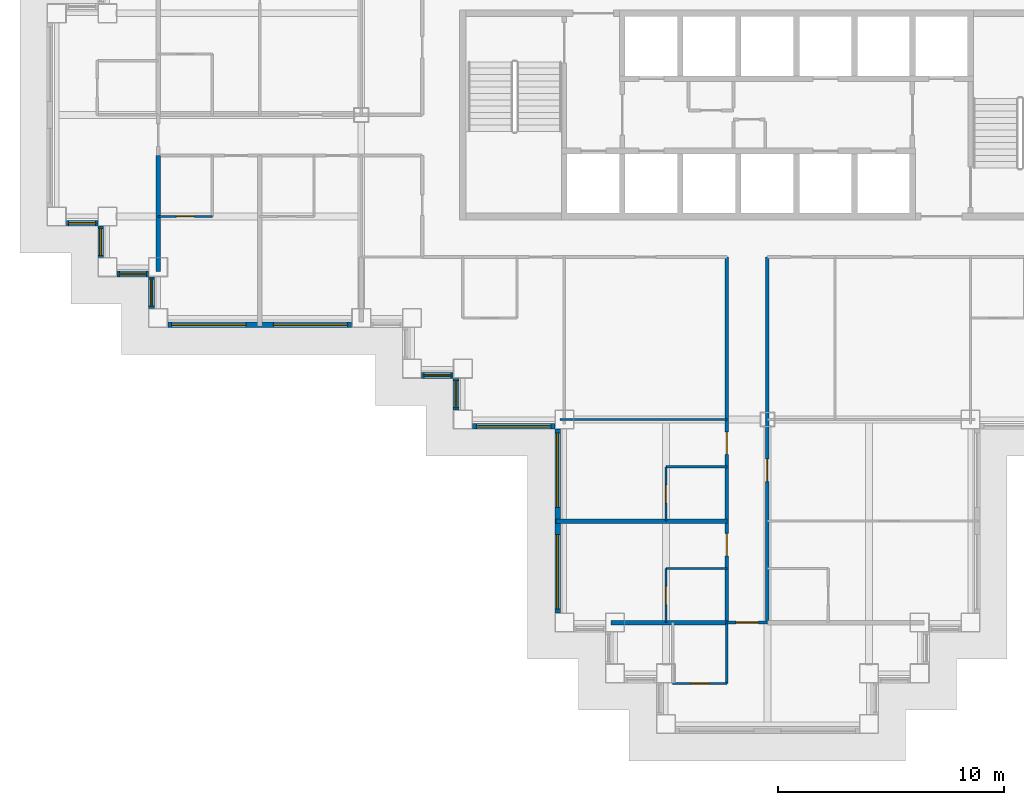
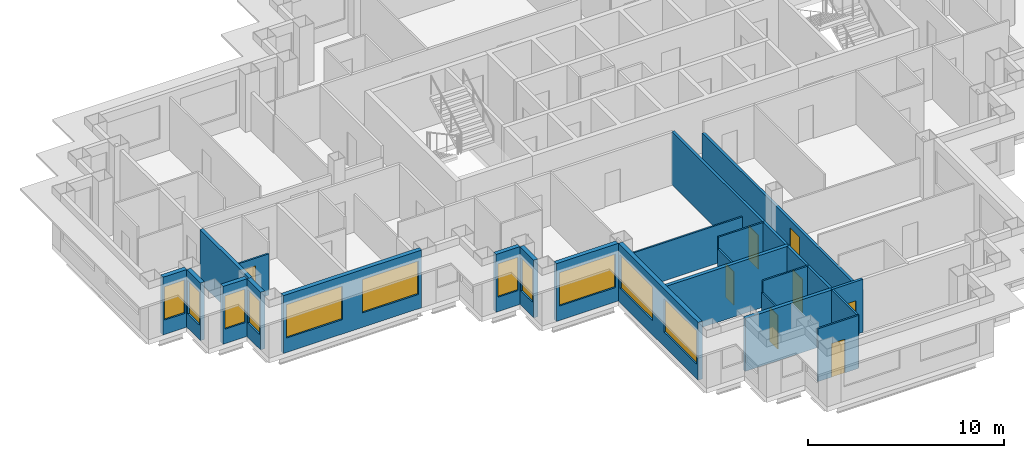
# One storey, part 4 of 16: 23 walls, 11 windows, 8 doors, 19 openings.
"""IFC4 building model written with IfcOpenShell, lengths in metres."""

from ifc_helpers import new_model, si_unit, direction, frame, frame_2d, origin, place, context, subcontext, project, spatial, rectangle, extrude, material, layer, layer_set, type_object, element, fill, save


model = new_model("IFC4")

# Units and contexts
model_context = context("Model", 3, precision=1e-05, world=origin(), true_north=direction((0.0, 1.0)))
body_context = subcontext(model_context, "Body", "Model", "MODEL_VIEW")
ifc_project = project(units=[si_unit("LENGTHUNIT", "METRE"), si_unit("AREAUNIT", "SQUARE_METRE"), si_unit("VOLUMEUNIT", "CUBIC_METRE"), si_unit("PLANEANGLEUNIT", "RADIAN"), si_unit("MASSUNIT", "GRAM", prefix="KILO")], contexts=[model_context])

# Site, building, storey
site_placement = place(None, origin())
site = spatial("IfcSite", under=ifc_project, at=site_placement, CompositionType="ELEMENT")
building_placement = place(site_placement, origin())
building = spatial("IfcBuilding", under=site, at=building_placement, Name="Caravel Reach Hotel and Residences", CompositionType="ELEMENT")
storey_placement = place(building_placement, frame((0.0, 0.0, 133.199951171875)))
storey = spatial("IfcBuildingStorey", under=building, at=storey_placement, Name="L33", CompositionType="ELEMENT", Elevation=133.199951171875)

# Wall, opening, door
ifc_material_1 = material(Name="Gypsum board on steel stud", Category="steel")
ifc_layer_1 = layer(ifc_material_1, 0.10009765625)
ifc_layer_set_1 = layer_set([ifc_layer_1], Name="Bathroom pod wall 100 mm")
wall_type_1 = type_object("IfcWallType", Name="Bathroom pod wall 100 mm", PredefinedType="PARTITIONING", material=ifc_layer_set_1)
wall_1_placement = place(storey_placement, frame((27.300048828125, 1.800048828125, 0.0), z_axis=(0.0, 0.0, 1.0), x_axis=(1.0, 0.0, 0.0)))
wall_1 = element("IfcWall", 1, at=wall_1_placement, inside=storey, type_object=wall_type_1, Name="L33 wall w081", PredefinedType="PARTITIONING", context=body_context, shape_type="SweptSolid", body=[
    extrude(rectangle(XDim=2.39990234375, YDim=0.10009765625, at=frame_2d((1.199951171875, 0.0))), origin(), (0.0, 0.0, 1.0), 3.300048828125),
])
opening_1_placement = place(wall_1_placement, frame((0.800048828125, 0.0, 0.0)))
opening_1 = element("IfcOpeningElement", 2, at=opening_1_placement, cuts=wall_1, Name="Opening D33-047", PredefinedType="OPENING", context=body_context, shape_type="SweptSolid", body=[
    extrude(rectangle(XDim=0.800048828125, YDim=2.10009765625, at=frame_2d((0.39990234375, 1.050048828125))), frame((0.0, 0.06005859375, 0.0), z_axis=(0.0, -1.0, 0.0), x_axis=(1.0, 0.0, 0.0)), (0.0, 0.0, 1.0), 0.1201171875),
])
ifc_material_2 = material(Name="Timber and steel door leaf", Category="steel")
door_type_1 = type_object("IfcDoorType", Name="Bathroom door 800 x 2100", OperationType="SINGLE_SWING_LEFT", PredefinedType="DOOR", material=ifc_material_2)
door_1_placement = place(opening_1_placement, origin())
door_1 = element("IfcDoor", 3, at=door_1_placement, inside=storey, type_object=door_type_1, Name="door D33-047", OperationType="SINGLE_SWING_RIGHT", OverallHeight=2.10009765625, OverallWidth=0.800048828125, PredefinedType="DOOR", context=body_context, shape_type="SweptSolid", body=[
    extrude(rectangle(XDim=0.800048828125, YDim=2.10009765625, at=frame_2d((0.39990234375, 1.050048828125))), frame((0.0, 0.02490234375, 0.0), z_axis=(0.0, -1.0, 0.0), x_axis=(1.0, 0.0, 0.0)), (0.0, 0.0, 1.0), 0.050048828125),
])
fill(opening_1, door_1)

# Wall
wall_2_placement = place(storey_placement, frame((27.0, 11.39990234375, 0.0), z_axis=(0.0, 0.0, 1.0), x_axis=(1.0, 0.0, 0.0)))
element("IfcWall", 4, at=wall_2_placement, inside=storey, type_object=wall_type_1, Name="L33 wall w082", PredefinedType="PARTITIONING", context=body_context, shape_type="SweptSolid", body=[
    extrude(rectangle(XDim=2.699951171875, YDim=0.10009765625, at=frame_2d((1.35009765625, 0.0))), origin(), (0.0, 0.0, 1.0), 3.300048828125),
])

# Wall, opening, door
wall_3_placement = place(storey_placement, frame((4.5, 22.5, 0.0), z_axis=(0.0, 0.0, 1.0), x_axis=(1.0, 0.0, 0.0)))
wall_3 = element("IfcWall", 5, at=wall_3_placement, inside=storey, type_object=wall_type_1, Name="L33 wall w086", PredefinedType="PARTITIONING", context=body_context, shape_type="SweptSolid", body=[
    extrude(rectangle(XDim=2.39990234375, YDim=0.10009765625, at=frame_2d((1.199951171875, 0.0))), origin(), (0.0, 0.0, 1.0), 2.580078125),
])
opening_2_placement = place(wall_3_placement, frame((0.800048828125, 0.0, 0.0)))
opening_2 = element("IfcOpeningElement", 6, at=opening_2_placement, cuts=wall_3, Name="Opening D33-019", PredefinedType="OPENING", context=body_context, shape_type="SweptSolid", body=[
    extrude(rectangle(XDim=0.800048828125, YDim=2.10009765625, at=frame_2d((0.39990234375, 1.050048828125))), frame((0.0, 0.06005859375, 0.0), z_axis=(0.0, -1.0, 0.0), x_axis=(1.0, 0.0, 0.0)), (0.0, 0.0, 1.0), 0.1201171875),
])
door_2_placement = place(opening_2_placement, origin())
door_2 = element("IfcDoor", 7, at=door_2_placement, inside=storey, type_object=door_type_1, Name="door D33-019", OperationType="SINGLE_SWING_RIGHT", OverallHeight=2.10009765625, OverallWidth=0.800048828125, PredefinedType="DOOR", context=body_context, shape_type="SweptSolid", body=[
    extrude(rectangle(XDim=0.800048828125, YDim=2.10009765625, at=frame_2d((0.39990234375, 1.050048828125))), frame((0.0, 0.02490234375, 0.0), z_axis=(0.0, -1.0, 0.0), x_axis=(1.0, 0.0, 0.0)), (0.0, 0.0, 1.0), 0.050048828125),
])
fill(opening_2, door_2)

# Wall
wall_4_placement = place(storey_placement, frame((27.0, 6.89990234375, 0.0), z_axis=(0.0, 0.0, 1.0), x_axis=(1.0, 0.0, 0.0)))
element("IfcWall", 8, at=wall_4_placement, inside=storey, type_object=wall_type_1, Name="L33 wall w098", PredefinedType="PARTITIONING", context=body_context, shape_type="SweptSolid", body=[
    extrude(rectangle(XDim=2.699951171875, YDim=0.10009765625, at=frame_2d((1.35009765625, 0.0))), origin(), (0.0, 0.0, 1.0), 3.300048828125),
])

# Wall, opening, door
wall_5_placement = place(storey_placement, frame((27.0, 9.0, 0.0), z_axis=(0.0, 0.0, 1.0), x_axis=(0.0, 1.0, 0.0)))
wall_5 = element("IfcWall", 9, at=wall_5_placement, inside=storey, type_object=wall_type_1, Name="L33 wall w106", PredefinedType="PARTITIONING", context=body_context, shape_type="SweptSolid", body=[
    extrude(rectangle(XDim=2.39990234375, YDim=0.10009765625, at=frame_2d((1.199951171875, 0.0))), origin(), (0.0, 0.0, 1.0), 2.580078125),
])
opening_3_placement = place(wall_5_placement, frame((0.800048828125, 0.0, 0.0)))
opening_3 = element("IfcOpeningElement", 10, at=opening_3_placement, cuts=wall_5, Name="Opening D33-036", PredefinedType="OPENING", context=body_context, shape_type="SweptSolid", body=[
    extrude(rectangle(XDim=0.800048828125, YDim=2.10009765625, at=frame_2d((0.39990234375, 1.050048828125))), frame((0.0, 0.06005859375, 0.0), z_axis=(0.0, -1.0, 0.0), x_axis=(1.0, 0.0, 0.0)), (0.0, 0.0, 1.0), 0.1201171875),
])
door_3_placement = place(opening_3_placement, origin())
door_3 = element("IfcDoor", 11, at=door_3_placement, inside=storey, type_object=door_type_1, Name="door D33-036", OperationType="SINGLE_SWING_LEFT", OverallHeight=2.10009765625, OverallWidth=0.800048828125, PredefinedType="DOOR", context=body_context, shape_type="SweptSolid", body=[
    extrude(rectangle(XDim=0.800048828125, YDim=2.10009765625, at=frame_2d((0.39990234375, 1.050048828125))), frame((0.0, 0.02490234375, 0.0), z_axis=(0.0, -1.0, 0.0), x_axis=(1.0, 0.0, 0.0)), (0.0, 0.0, 1.0), 0.050048828125),
])
fill(opening_3, door_3)

wall_6_placement = place(storey_placement, frame((27.0, 4.5, 0.0), z_axis=(0.0, 0.0, 1.0), x_axis=(0.0, 1.0, 0.0)))
wall_6 = element("IfcWall", 12, at=wall_6_placement, inside=storey, type_object=wall_type_1, Name="L33 wall w107", PredefinedType="PARTITIONING", context=body_context, shape_type="SweptSolid", body=[
    extrude(rectangle(XDim=2.39990234375, YDim=0.10009765625, at=frame_2d((1.199951171875, 0.0))), origin(), (0.0, 0.0, 1.0), 2.580078125),
])
opening_4_placement = place(wall_6_placement, frame((0.800048828125, 0.0, 0.0)))
opening_4 = element("IfcOpeningElement", 13, at=opening_4_placement, cuts=wall_6, Name="Opening D33-038", PredefinedType="OPENING", context=body_context, shape_type="SweptSolid", body=[
    extrude(rectangle(XDim=0.800048828125, YDim=2.10009765625, at=frame_2d((0.39990234375, 1.050048828125))), frame((0.0, 0.06005859375, 0.0), z_axis=(0.0, -1.0, 0.0), x_axis=(1.0, 0.0, 0.0)), (0.0, 0.0, 1.0), 0.1201171875),
])
door_4_placement = place(opening_4_placement, origin())
door_4 = element("IfcDoor", 14, at=door_4_placement, inside=storey, type_object=door_type_1, Name="door D33-038", OperationType="SINGLE_SWING_RIGHT", OverallHeight=2.10009765625, OverallWidth=0.800048828125, PredefinedType="DOOR", context=body_context, shape_type="SweptSolid", body=[
    extrude(rectangle(XDim=0.800048828125, YDim=2.10009765625, at=frame_2d((0.39990234375, 1.050048828125))), frame((0.0, 0.02490234375, 0.0), z_axis=(0.0, -1.0, 0.0), x_axis=(1.0, 0.0, 0.0)), (0.0, 0.0, 1.0), 0.050048828125),
])
fill(opening_4, door_4)

# Wall
wall_7_placement = place(storey_placement, frame((29.699951171875, 1.800048828125, 0.0), z_axis=(0.0, 0.0, 1.0), x_axis=(0.0, 1.0, 0.0)))
element("IfcWall", 15, at=wall_7_placement, inside=storey, type_object=wall_type_1, Name="L33 wall w111", PredefinedType="PARTITIONING", context=body_context, shape_type="SweptSolid", body=[
    extrude(rectangle(XDim=2.699951171875, YDim=0.10009765625, at=frame_2d((1.35009765625, 0.0))), origin(), (0.0, 0.0, 1.0), 3.300048828125),
])

# Wall, opening, door
ifc_material_3 = material(Name="Gypsum board on steel stud, fire-rated", Category="steel")
ifc_layer_2 = layer(ifc_material_3, 0.14990234375)
ifc_layer_set_2 = layer_set([ifc_layer_2], Name="Corridor wall 150 mm EI 60")
wall_type_2 = type_object("IfcWallType", Name="Corridor wall 150 mm EI 60", PredefinedType="PARTITIONING", material=ifc_layer_set_2)
wall_8_placement = place(storey_placement, frame((29.699951171875, 4.5, 0.0), z_axis=(0.0, 0.0, 1.0), x_axis=(1.0, 0.0, 0.0)))
wall_8 = element("IfcWall", 16, at=wall_8_placement, inside=storey, type_object=wall_type_2, Name="L33 wall w022", PredefinedType="PARTITIONING", context=body_context, shape_type="SweptSolid", body=[
    extrude(rectangle(XDim=1.800048828125, YDim=0.14990234375, at=frame_2d((0.89990234375, 0.0))), origin(), (0.0, 0.0, 1.0), 3.300048828125),
])
opening_5_placement = place(wall_8_placement, frame((0.39990234375, 0.0, 0.0)))
opening_5 = element("IfcOpeningElement", 17, at=opening_5_placement, cuts=wall_8, Name="Opening D33-046", PredefinedType="OPENING", context=body_context, shape_type="SweptSolid", body=[
    extrude(rectangle(XDim=1.0, YDim=2.10009765625, at=frame_2d((0.5, 1.050048828125))), frame((0.0, 0.0849609375, 0.0), z_axis=(0.0, -1.0, 0.0), x_axis=(1.0, 0.0, 0.0)), (0.0, 0.0, 1.0), 0.169921875),
])
ifc_material_4 = material(Name="Steel fire door leaf", Category="steel")
door_type_2 = type_object("IfcDoorType", Name="Guest room door 1000 x 2100 EI 30", OperationType="SINGLE_SWING_LEFT", PredefinedType="DOOR", material=ifc_material_4)
door_5_placement = place(opening_5_placement, origin())
door_5 = element("IfcDoor", 18, at=door_5_placement, inside=storey, type_object=door_type_2, Name="door D33-046", OperationType="SINGLE_SWING_LEFT", OverallHeight=2.10009765625, OverallWidth=1.0, PredefinedType="DOOR", context=body_context, shape_type="SweptSolid", body=[
    extrude(rectangle(XDim=1.0, YDim=2.10009765625, at=frame_2d((0.5, 1.050048828125))), frame((0.0, 0.02490234375, 0.0), z_axis=(0.0, -1.0, 0.0), x_axis=(1.0, 0.0, 0.0)), (0.0, 0.0, 1.0), 0.050048828125),
])
fill(opening_5, door_5)

# Wall, openings, doors
wall_9_placement = place(storey_placement, frame((29.699951171875, 4.5, 0.0), z_axis=(0.0, 0.0, 1.0), x_axis=(0.0, 1.0, 0.0)))
wall_9 = element("IfcWall", 19, at=wall_9_placement, inside=storey, type_object=wall_type_2, Name="L33 wall w027", PredefinedType="PARTITIONING", context=body_context, shape_type="SweptSolid", body=[
    extrude(rectangle(XDim=16.199951171875, YDim=0.14990234375, at=frame_2d((8.10009765625, 0.0))), origin(), (0.0, 0.0, 1.0), 3.300048828125),
])
opening_6_placement = place(wall_9_placement, frame((7.449951171875, 0.0, 0.0)))
opening_6 = element("IfcOpeningElement", 20, at=opening_6_placement, cuts=wall_9, Name="Opening D33-035", PredefinedType="OPENING", context=body_context, shape_type="SweptSolid", body=[
    extrude(rectangle(XDim=1.0, YDim=2.10009765625, at=frame_2d((0.5, 1.050048828125))), frame((0.0, 0.0849609375, 0.0), z_axis=(0.0, -1.0, 0.0), x_axis=(1.0, 0.0, 0.0)), (0.0, 0.0, 1.0), 0.169921875),
])
opening_7_placement = place(wall_9_placement, frame((2.949951171875, 0.0, 0.0)))
opening_7 = element("IfcOpeningElement", 21, at=opening_7_placement, cuts=wall_9, Name="Opening D33-037", PredefinedType="OPENING", context=body_context, shape_type="SweptSolid", body=[
    extrude(rectangle(XDim=1.0, YDim=2.10009765625, at=frame_2d((0.5, 1.050048828125))), frame((0.0, 0.0849609375, 0.0), z_axis=(0.0, -1.0, 0.0), x_axis=(1.0, 0.0, 0.0)), (0.0, 0.0, 1.0), 0.169921875),
])
door_6_placement = place(opening_6_placement, origin())
door_6 = element("IfcDoor", 22, at=door_6_placement, inside=storey, type_object=door_type_2, Name="door D33-035", OperationType="SINGLE_SWING_RIGHT", OverallHeight=2.10009765625, OverallWidth=1.0, PredefinedType="DOOR", context=body_context, shape_type="SweptSolid", body=[
    extrude(rectangle(XDim=1.0, YDim=2.10009765625, at=frame_2d((0.5, 1.050048828125))), frame((0.0, 0.02490234375, 0.0), z_axis=(0.0, -1.0, 0.0), x_axis=(1.0, 0.0, 0.0)), (0.0, 0.0, 1.0), 0.050048828125),
])
fill(opening_6, door_6)
door_7_placement = place(opening_7_placement, origin())
door_7 = element("IfcDoor", 23, at=door_7_placement, inside=storey, type_object=door_type_2, Name="door D33-037", OperationType="SINGLE_SWING_RIGHT", OverallHeight=2.10009765625, OverallWidth=1.0, PredefinedType="DOOR", context=body_context, shape_type="SweptSolid", body=[
    extrude(rectangle(XDim=1.0, YDim=2.10009765625, at=frame_2d((0.5, 1.050048828125))), frame((0.0, 0.02490234375, 0.0), z_axis=(0.0, -1.0, 0.0), x_axis=(1.0, 0.0, 0.0)), (0.0, 0.0, 1.0), 0.050048828125),
])
fill(opening_7, door_7)

# Wall, opening, door
wall_10_placement = place(storey_placement, frame((31.5, 4.5, 0.0), z_axis=(0.0, 0.0, 1.0), x_axis=(0.0, 1.0, 0.0)))
wall_10 = element("IfcWall", 24, at=wall_10_placement, inside=storey, type_object=wall_type_2, Name="L33 wall w033", PredefinedType="PARTITIONING", context=body_context, shape_type="SweptSolid", body=[
    extrude(rectangle(XDim=16.199951171875, YDim=0.14990234375, at=frame_2d((8.10009765625, 0.0))), origin(), (0.0, 0.0, 1.0), 2.580078125),
])
opening_8_placement = place(wall_10_placement, frame((6.25, 0.0, 0.0)))
opening_8 = element("IfcOpeningElement", 25, at=opening_8_placement, cuts=wall_10, Name="Opening D33-039", PredefinedType="OPENING", context=body_context, shape_type="SweptSolid", body=[
    extrude(rectangle(XDim=1.0, YDim=2.10009765625, at=frame_2d((0.5, 1.050048828125))), frame((0.0, 0.0849609375, 0.0), z_axis=(0.0, -1.0, 0.0), x_axis=(1.0, 0.0, 0.0)), (0.0, 0.0, 1.0), 0.169921875),
])
door_8_placement = place(opening_8_placement, origin())
door_8 = element("IfcDoor", 26, at=door_8_placement, inside=storey, type_object=door_type_2, Name="door D33-039", OperationType="SINGLE_SWING_LEFT", OverallHeight=2.10009765625, OverallWidth=1.0, PredefinedType="DOOR", context=body_context, shape_type="SweptSolid", body=[
    extrude(rectangle(XDim=1.0, YDim=2.10009765625, at=frame_2d((0.5, 1.050048828125))), frame((0.0, 0.02490234375, 0.0), z_axis=(0.0, -1.0, 0.0), x_axis=(1.0, 0.0, 0.0)), (0.0, 0.0, 1.0), 0.050048828125),
])
fill(opening_8, door_8)

# Wall, opening, window
ifc_material_5 = material(Name="Insulated rainscreen wall, aluminium cladding", Category="aluminium")
ifc_layer_3 = layer(ifc_material_5, 0.25)
ifc_layer_set_3 = layer_set([ifc_layer_3], Name="EW1 Tower rainscreen wall")
wall_type_3 = type_object("IfcWallType", Name="EW1 Tower rainscreen wall", PredefinedType="SOLIDWALL", material=ifc_layer_set_3)
wall_11_placement = place(storey_placement, frame((0.425048828125, 22.199951171875, 0.0), z_axis=(0.0, 0.0, 1.0), x_axis=(1.0, 0.0, 0.0)))
wall_11 = element("IfcWall", 27, at=wall_11_placement, inside=storey, type_object=wall_type_3, Name="External wall L33 S51.1", PredefinedType="SOLIDWALL", context=body_context, shape_type="SweptSolid", body=[
    extrude(rectangle(XDim=1.39990234375, YDim=0.25, at=frame_2d((0.699951171875, 0.0))), origin(), (0.0, 0.0, 1.0), 3.60009765625),
])
opening_9_placement = place(wall_11_placement, frame((0.10009765625, 0.0, 0.89990234375)))
opening_9 = element("IfcOpeningElement", 28, at=opening_9_placement, cuts=wall_11, Name="Opening WN9", PredefinedType="OPENING", context=body_context, shape_type="SweptSolid", body=[
    extrude(rectangle(XDim=1.199951171875, YDim=2.080078125, at=frame_2d((0.60009765625, 1.0400390625))), frame((0.0, 0.135009765625, 0.0), z_axis=(0.0, -1.0, 0.0), x_axis=(1.0, 0.0, 0.0)), (0.0, 0.0, 1.0), 0.27001953125),
])
ifc_material_6 = material(Name="Dark low-e glazing in black aluminium frame", Category="aluminium")
window_type_1 = type_object("IfcWindowType", Name="Hotel suite corner window 1200 x 2080", PartitioningType="SINGLE_PANEL", PredefinedType="WINDOW", material=ifc_material_6)
window_1_placement = place(opening_9_placement, origin())
window_1 = element("IfcWindow", 29, at=window_1_placement, inside=storey, type_object=window_type_1, Name="Window L33 S51.1.1", OverallHeight=2.080078125, OverallWidth=1.199951171875, PartitioningType="SINGLE_PANEL", PredefinedType="WINDOW", context=body_context, shape_type="SweptSolid", body=[
    extrude(rectangle(XDim=1.199951171875, YDim=2.080078125, at=frame_2d((0.60009765625, 1.0400390625))), frame((0.0, 0.030029296875, 0.0), z_axis=(0.0, -1.0, 0.0), x_axis=(1.0, 0.0, 0.0)), (0.0, 0.0, 1.0), 0.06005859375),
])
fill(opening_9, window_1)

wall_12_placement = place(storey_placement, frame((1.949951171875, 22.074951171875, 0.0), z_axis=(0.0, 0.0, 1.0), x_axis=(0.0, -1.0, 0.0)))
wall_12 = element("IfcWall", 30, at=wall_12_placement, inside=storey, type_object=wall_type_3, Name="External wall L33 W52.1", PredefinedType="SOLIDWALL", context=body_context, shape_type="SweptSolid", body=[
    extrude(rectangle(XDim=1.39990234375, YDim=0.25, at=frame_2d((0.699951171875, 0.0))), origin(), (0.0, 0.0, 1.0), 3.60009765625),
])
opening_10_placement = place(wall_12_placement, frame((0.10009765625, 0.0, 0.89990234375)))
opening_10 = element("IfcOpeningElement", 31, at=opening_10_placement, cuts=wall_12, Name="Opening WN9", PredefinedType="OPENING", context=body_context, shape_type="SweptSolid", body=[
    extrude(rectangle(XDim=1.199951171875, YDim=2.080078125, at=frame_2d((0.60009765625, 1.0400390625))), frame((0.0, 0.135009765625, 0.0), z_axis=(0.0, -1.0, 0.0), x_axis=(1.0, 0.0, 0.0)), (0.0, 0.0, 1.0), 0.27001953125),
])
window_2_placement = place(opening_10_placement, origin())
window_2 = element("IfcWindow", 32, at=window_2_placement, inside=storey, type_object=window_type_1, Name="Window L33 W52.1.1", OverallHeight=2.080078125, OverallWidth=1.199951171875, PartitioningType="SINGLE_PANEL", PredefinedType="WINDOW", context=body_context, shape_type="SweptSolid", body=[
    extrude(rectangle(XDim=1.199951171875, YDim=2.080078125, at=frame_2d((0.60009765625, 1.0400390625))), frame((0.0, 0.030029296875, 0.0), z_axis=(0.0, -1.0, 0.0), x_axis=(1.0, 0.0, 0.0)), (0.0, 0.0, 1.0), 0.06005859375),
])
fill(opening_10, window_2)

wall_13_placement = place(storey_placement, frame((2.675048828125, 19.949951171875, 0.0), z_axis=(0.0, 0.0, 1.0), x_axis=(1.0, 0.0, 0.0)))
wall_13 = element("IfcWall", 33, at=wall_13_placement, inside=storey, type_object=wall_type_3, Name="External wall L33 S53.1", PredefinedType="SOLIDWALL", context=body_context, shape_type="SweptSolid", body=[
    extrude(rectangle(XDim=1.39990234375, YDim=0.25, at=frame_2d((0.699951171875, 0.0))), origin(), (0.0, 0.0, 1.0), 3.60009765625),
])
opening_11_placement = place(wall_13_placement, frame((0.10009765625, 0.0, 0.89990234375)))
opening_11 = element("IfcOpeningElement", 34, at=opening_11_placement, cuts=wall_13, Name="Opening WN9", PredefinedType="OPENING", context=body_context, shape_type="SweptSolid", body=[
    extrude(rectangle(XDim=1.199951171875, YDim=2.080078125, at=frame_2d((0.60009765625, 1.0400390625))), frame((0.0, 0.135009765625, 0.0), z_axis=(0.0, -1.0, 0.0), x_axis=(1.0, 0.0, 0.0)), (0.0, 0.0, 1.0), 0.27001953125),
])
window_3_placement = place(opening_11_placement, origin())
window_3 = element("IfcWindow", 35, at=window_3_placement, inside=storey, type_object=window_type_1, Name="Window L33 S53.1.1", OverallHeight=2.080078125, OverallWidth=1.199951171875, PartitioningType="SINGLE_PANEL", PredefinedType="WINDOW", context=body_context, shape_type="SweptSolid", body=[
    extrude(rectangle(XDim=1.199951171875, YDim=2.080078125, at=frame_2d((0.60009765625, 1.0400390625))), frame((0.0, 0.030029296875, 0.0), z_axis=(0.0, -1.0, 0.0), x_axis=(1.0, 0.0, 0.0)), (0.0, 0.0, 1.0), 0.06005859375),
])
fill(opening_11, window_3)

wall_14_placement = place(storey_placement, frame((4.199951171875, 19.824951171875, 0.0), z_axis=(0.0, 0.0, 1.0), x_axis=(0.0, -1.0, 0.0)))
wall_14 = element("IfcWall", 36, at=wall_14_placement, inside=storey, type_object=wall_type_3, Name="External wall L33 W54.1", PredefinedType="SOLIDWALL", context=body_context, shape_type="SweptSolid", body=[
    extrude(rectangle(XDim=1.39990234375, YDim=0.25, at=frame_2d((0.699951171875, 0.0))), origin(), (0.0, 0.0, 1.0), 3.60009765625),
])
opening_12_placement = place(wall_14_placement, frame((0.10009765625, 0.0, 0.89990234375)))
opening_12 = element("IfcOpeningElement", 37, at=opening_12_placement, cuts=wall_14, Name="Opening WN9", PredefinedType="OPENING", context=body_context, shape_type="SweptSolid", body=[
    extrude(rectangle(XDim=1.199951171875, YDim=2.080078125, at=frame_2d((0.60009765625, 1.0400390625))), frame((0.0, 0.135009765625, 0.0), z_axis=(0.0, -1.0, 0.0), x_axis=(1.0, 0.0, 0.0)), (0.0, 0.0, 1.0), 0.27001953125),
])
window_4_placement = place(opening_12_placement, origin())
window_4 = element("IfcWindow", 38, at=window_4_placement, inside=storey, type_object=window_type_1, Name="Window L33 W54.1.1", OverallHeight=2.080078125, OverallWidth=1.199951171875, PartitioningType="SINGLE_PANEL", PredefinedType="WINDOW", context=body_context, shape_type="SweptSolid", body=[
    extrude(rectangle(XDim=1.199951171875, YDim=2.080078125, at=frame_2d((0.60009765625, 1.0400390625))), frame((0.0, 0.030029296875, 0.0), z_axis=(0.0, -1.0, 0.0), x_axis=(1.0, 0.0, 0.0)), (0.0, 0.0, 1.0), 0.06005859375),
])
fill(opening_12, window_4)

# Wall, openings, windows
wall_15_placement = place(storey_placement, frame((4.925048828125, 17.699951171875, 0.0), z_axis=(0.0, 0.0, 1.0), x_axis=(1.0, 0.0, 0.0)))
wall_15 = element("IfcWall", 39, at=wall_15_placement, inside=storey, type_object=wall_type_3, Name="External wall L33 S55.1", PredefinedType="SOLIDWALL", context=body_context, shape_type="SweptSolid", body=[
    extrude(rectangle(XDim=8.14990234375, YDim=0.25, at=frame_2d((4.074951171875, 0.0))), origin(), (0.0, 0.0, 1.0), 3.60009765625),
])
opening_13_placement = place(wall_15_placement, frame((0.175048828125, 0.0, 0.89990234375)))
opening_13 = element("IfcOpeningElement", 40, at=opening_13_placement, cuts=wall_15, Name="Opening WN4", PredefinedType="OPENING", context=body_context, shape_type="SweptSolid", body=[
    extrude(rectangle(XDim=3.300048828125, YDim=2.080078125, at=frame_2d((1.64990234375, 1.0400390625))), frame((0.0, 0.135009765625, 0.0), z_axis=(0.0, -1.0, 0.0), x_axis=(1.0, 0.0, 0.0)), (0.0, 0.0, 1.0), 0.27001953125),
])
opening_14_placement = place(wall_15_placement, frame((4.675048828125, 0.0, 0.89990234375)))
opening_14 = element("IfcOpeningElement", 41, at=opening_14_placement, cuts=wall_15, Name="Opening WN4", PredefinedType="OPENING", context=body_context, shape_type="SweptSolid", body=[
    extrude(rectangle(XDim=3.300048828125, YDim=2.080078125, at=frame_2d((1.64990234375, 1.0400390625))), frame((0.0, 0.135009765625, 0.0), z_axis=(0.0, -1.0, 0.0), x_axis=(1.0, 0.0, 0.0)), (0.0, 0.0, 1.0), 0.27001953125),
])
ifc_material_7 = material(Name="Dark low-e glazing in black aluminium frame", Category="aluminium")
window_type_2 = type_object("IfcWindowType", Name="Hotel guest room window 3300 x 2080", PartitioningType="SINGLE_PANEL", PredefinedType="WINDOW", material=ifc_material_7)
window_5_placement = place(opening_13_placement, origin())
window_5 = element("IfcWindow", 42, at=window_5_placement, inside=storey, type_object=window_type_2, Name="Window L33 S55.1.1", OverallHeight=2.080078125, OverallWidth=3.300048828125, PartitioningType="SINGLE_PANEL", PredefinedType="WINDOW", context=body_context, shape_type="SweptSolid", body=[
    extrude(rectangle(XDim=3.300048828125, YDim=2.080078125, at=frame_2d((1.64990234375, 1.0400390625))), frame((0.0, 0.030029296875, 0.0), z_axis=(0.0, -1.0, 0.0), x_axis=(1.0, 0.0, 0.0)), (0.0, 0.0, 1.0), 0.06005859375),
])
fill(opening_13, window_5)
window_6_placement = place(opening_14_placement, origin())
window_6 = element("IfcWindow", 43, at=window_6_placement, inside=storey, type_object=window_type_2, Name="Window L33 S55.1.2", OverallHeight=2.080078125, OverallWidth=3.300048828125, PartitioningType="SINGLE_PANEL", PredefinedType="WINDOW", context=body_context, shape_type="SweptSolid", body=[
    extrude(rectangle(XDim=3.300048828125, YDim=2.080078125, at=frame_2d((1.64990234375, 1.0400390625))), frame((0.0, 0.030029296875, 0.0), z_axis=(0.0, -1.0, 0.0), x_axis=(1.0, 0.0, 0.0)), (0.0, 0.0, 1.0), 0.06005859375),
])
fill(opening_14, window_6)

# Wall, opening, window
wall_16_placement = place(storey_placement, frame((16.175048828125, 15.449951171875, 0.0), z_axis=(0.0, 0.0, 1.0), x_axis=(1.0, 0.0, 0.0)))
wall_16 = element("IfcWall", 44, at=wall_16_placement, inside=storey, type_object=wall_type_3, Name="External wall L33 S57.1", PredefinedType="SOLIDWALL", context=body_context, shape_type="SweptSolid", body=[
    extrude(rectangle(XDim=1.39990234375, YDim=0.25, at=frame_2d((0.699951171875, 0.0))), origin(), (0.0, 0.0, 1.0), 3.60009765625),
])
opening_15_placement = place(wall_16_placement, frame((0.10009765625, 0.0, 0.89990234375)))
opening_15 = element("IfcOpeningElement", 45, at=opening_15_placement, cuts=wall_16, Name="Opening WN9", PredefinedType="OPENING", context=body_context, shape_type="SweptSolid", body=[
    extrude(rectangle(XDim=1.199951171875, YDim=2.080078125, at=frame_2d((0.60009765625, 1.0400390625))), frame((0.0, 0.135009765625, 0.0), z_axis=(0.0, -1.0, 0.0), x_axis=(1.0, 0.0, 0.0)), (0.0, 0.0, 1.0), 0.27001953125),
])
window_7_placement = place(opening_15_placement, origin())
window_7 = element("IfcWindow", 46, at=window_7_placement, inside=storey, type_object=window_type_1, Name="Window L33 S57.1.1", OverallHeight=2.080078125, OverallWidth=1.199951171875, PartitioningType="SINGLE_PANEL", PredefinedType="WINDOW", context=body_context, shape_type="SweptSolid", body=[
    extrude(rectangle(XDim=1.199951171875, YDim=2.080078125, at=frame_2d((0.60009765625, 1.0400390625))), frame((0.0, 0.030029296875, 0.0), z_axis=(0.0, -1.0, 0.0), x_axis=(1.0, 0.0, 0.0)), (0.0, 0.0, 1.0), 0.06005859375),
])
fill(opening_15, window_7)

wall_17_placement = place(storey_placement, frame((17.699951171875, 15.324951171875, 0.0), z_axis=(0.0, 0.0, 1.0), x_axis=(0.0, -1.0, 0.0)))
wall_17 = element("IfcWall", 47, at=wall_17_placement, inside=storey, type_object=wall_type_3, Name="External wall L33 W58.1", PredefinedType="SOLIDWALL", context=body_context, shape_type="SweptSolid", body=[
    extrude(rectangle(XDim=1.39990234375, YDim=0.25, at=frame_2d((0.699951171875, 0.0))), origin(), (0.0, 0.0, 1.0), 3.60009765625),
])
opening_16_placement = place(wall_17_placement, frame((0.10009765625, 0.0, 0.89990234375)))
opening_16 = element("IfcOpeningElement", 48, at=opening_16_placement, cuts=wall_17, Name="Opening WN9", PredefinedType="OPENING", context=body_context, shape_type="SweptSolid", body=[
    extrude(rectangle(XDim=1.199951171875, YDim=2.080078125, at=frame_2d((0.60009765625, 1.0400390625))), frame((0.0, 0.135009765625, 0.0), z_axis=(0.0, -1.0, 0.0), x_axis=(1.0, 0.0, 0.0)), (0.0, 0.0, 1.0), 0.27001953125),
])
window_8_placement = place(opening_16_placement, origin())
window_8 = element("IfcWindow", 49, at=window_8_placement, inside=storey, type_object=window_type_1, Name="Window L33 W58.1.1", OverallHeight=2.080078125, OverallWidth=1.199951171875, PartitioningType="SINGLE_PANEL", PredefinedType="WINDOW", context=body_context, shape_type="SweptSolid", body=[
    extrude(rectangle(XDim=1.199951171875, YDim=2.080078125, at=frame_2d((0.60009765625, 1.0400390625))), frame((0.0, 0.030029296875, 0.0), z_axis=(0.0, -1.0, 0.0), x_axis=(1.0, 0.0, 0.0)), (0.0, 0.0, 1.0), 0.06005859375),
])
fill(opening_16, window_8)

wall_18_placement = place(storey_placement, frame((18.425048828125, 13.199951171875, 0.0), z_axis=(0.0, 0.0, 1.0), x_axis=(1.0, 0.0, 0.0)))
wall_18 = element("IfcWall", 50, at=wall_18_placement, inside=storey, type_object=wall_type_3, Name="External wall L33 S59.1", PredefinedType="SOLIDWALL", context=body_context, shape_type="SweptSolid", body=[
    extrude(rectangle(XDim=3.64990234375, YDim=0.25, at=frame_2d((1.824951171875, 0.0))), origin(), (0.0, 0.0, 1.0), 3.60009765625),
])
opening_17_placement = place(wall_18_placement, frame((0.175048828125, 0.0, 0.89990234375)))
opening_17 = element("IfcOpeningElement", 51, at=opening_17_placement, cuts=wall_18, Name="Opening WN4", PredefinedType="OPENING", context=body_context, shape_type="SweptSolid", body=[
    extrude(rectangle(XDim=3.300048828125, YDim=2.080078125, at=frame_2d((1.64990234375, 1.0400390625))), frame((0.0, 0.135009765625, 0.0), z_axis=(0.0, -1.0, 0.0), x_axis=(1.0, 0.0, 0.0)), (0.0, 0.0, 1.0), 0.27001953125),
])
window_9_placement = place(opening_17_placement, origin())
window_9 = element("IfcWindow", 52, at=window_9_placement, inside=storey, type_object=window_type_2, Name="Window L33 S59.1.1", OverallHeight=2.080078125, OverallWidth=3.300048828125, PartitioningType="SINGLE_PANEL", PredefinedType="WINDOW", context=body_context, shape_type="SweptSolid", body=[
    extrude(rectangle(XDim=3.300048828125, YDim=2.080078125, at=frame_2d((1.64990234375, 1.0400390625))), frame((0.0, 0.030029296875, 0.0), z_axis=(0.0, -1.0, 0.0), x_axis=(1.0, 0.0, 0.0)), (0.0, 0.0, 1.0), 0.06005859375),
])
fill(opening_17, window_9)

# Wall, openings, windows
wall_19_placement = place(storey_placement, frame((22.199951171875, 13.074951171875, 0.0), z_axis=(0.0, 0.0, 1.0), x_axis=(0.0, -1.0, 0.0)))
wall_19 = element("IfcWall", 53, at=wall_19_placement, inside=storey, type_object=wall_type_3, Name="External wall L33 W60.1", PredefinedType="SOLIDWALL", context=body_context, shape_type="SweptSolid", body=[
    extrude(rectangle(XDim=8.14990234375, YDim=0.25, at=frame_2d((4.074951171875, 0.0))), origin(), (0.0, 0.0, 1.0), 3.60009765625),
])
opening_18_placement = place(wall_19_placement, frame((0.175048828125, 0.0, 0.89990234375)))
opening_18 = element("IfcOpeningElement", 54, at=opening_18_placement, cuts=wall_19, Name="Opening WN4", PredefinedType="OPENING", context=body_context, shape_type="SweptSolid", body=[
    extrude(rectangle(XDim=3.300048828125, YDim=2.080078125, at=frame_2d((1.64990234375, 1.0400390625))), frame((0.0, 0.135009765625, 0.0), z_axis=(0.0, -1.0, 0.0), x_axis=(1.0, 0.0, 0.0)), (0.0, 0.0, 1.0), 0.27001953125),
])
opening_19_placement = place(wall_19_placement, frame((4.675048828125, 0.0, 0.89990234375)))
opening_19 = element("IfcOpeningElement", 55, at=opening_19_placement, cuts=wall_19, Name="Opening WN4", PredefinedType="OPENING", context=body_context, shape_type="SweptSolid", body=[
    extrude(rectangle(XDim=3.300048828125, YDim=2.080078125, at=frame_2d((1.64990234375, 1.0400390625))), frame((0.0, 0.135009765625, 0.0), z_axis=(0.0, -1.0, 0.0), x_axis=(1.0, 0.0, 0.0)), (0.0, 0.0, 1.0), 0.27001953125),
])
window_10_placement = place(opening_18_placement, origin())
window_10 = element("IfcWindow", 56, at=window_10_placement, inside=storey, type_object=window_type_2, Name="Window L33 W60.1.1", OverallHeight=2.080078125, OverallWidth=3.300048828125, PartitioningType="SINGLE_PANEL", PredefinedType="WINDOW", context=body_context, shape_type="SweptSolid", body=[
    extrude(rectangle(XDim=3.300048828125, YDim=2.080078125, at=frame_2d((1.64990234375, 1.0400390625))), frame((0.0, 0.030029296875, 0.0), z_axis=(0.0, -1.0, 0.0), x_axis=(1.0, 0.0, 0.0)), (0.0, 0.0, 1.0), 0.06005859375),
])
fill(opening_18, window_10)
window_11_placement = place(opening_19_placement, origin())
window_11 = element("IfcWindow", 57, at=window_11_placement, inside=storey, type_object=window_type_2, Name="Window L33 W60.1.2", OverallHeight=2.080078125, OverallWidth=3.300048828125, PartitioningType="SINGLE_PANEL", PredefinedType="WINDOW", context=body_context, shape_type="SweptSolid", body=[
    extrude(rectangle(XDim=3.300048828125, YDim=2.080078125, at=frame_2d((1.64990234375, 1.0400390625))), frame((0.0, 0.030029296875, 0.0), z_axis=(0.0, -1.0, 0.0), x_axis=(1.0, 0.0, 0.0)), (0.0, 0.0, 1.0), 0.06005859375),
])
fill(opening_19, window_11)

# Walls
ifc_material_8 = material(Name="Gypsum board on steel stud", Category="steel")
ifc_layer_4 = layer(ifc_material_8, 0.10009765625)
ifc_layer_set_4 = layer_set([ifc_layer_4], Name="Partition 100 mm")
wall_type_4 = type_object("IfcWallType", Name="Partition 100 mm", PredefinedType="PARTITIONING", material=ifc_layer_set_4)
wall_20_placement = place(storey_placement, frame((22.31005859375, 13.5, 0.0), z_axis=(0.0, 0.0, 1.0), x_axis=(1.0, 0.0, 0.0)))
element("IfcWall", 58, at=wall_20_placement, inside=storey, type_object=wall_type_4, Name="L33 wall w042", PredefinedType="PARTITIONING", context=body_context, shape_type="SweptSolid", body=[
    extrude(rectangle(XDim=7.389892578125, YDim=0.10009765625, at=frame_2d((3.69482421875, 0.0))), origin(), (0.0, 0.0, 1.0), 2.380126953125),
])
ifc_material_9 = material(Name="Autoclaved aerated block wall")
ifc_layer_5 = layer(ifc_material_9, 0.199951171875)
ifc_layer_set_5 = layer_set([ifc_layer_5], Name="Party wall 200 mm EI 60")
wall_type_5 = type_object("IfcWallType", Name="Party wall 200 mm EI 60", PredefinedType="PARTITIONING", material=ifc_layer_set_5)
wall_21_placement = place(storey_placement, frame((24.56005859375, 4.5, 0.0), z_axis=(0.0, 0.0, 1.0), x_axis=(1.0, 0.0, 0.0)))
element("IfcWall", 59, at=wall_21_placement, inside=storey, type_object=wall_type_5, Name="L33 wall w070", PredefinedType="PARTITIONING", context=body_context, shape_type="SweptSolid", body=[
    extrude(rectangle(XDim=5.139892578125, YDim=0.199951171875, at=frame_2d((2.56982421875, 0.0))), origin(), (0.0, 0.0, 1.0), 3.300048828125),
])
wall_22_placement = place(storey_placement, frame((22.135009765625, 9.0, 0.0), z_axis=(0.0, 0.0, 1.0), x_axis=(1.0, 0.0, 0.0)))
element("IfcWall", 60, at=wall_22_placement, inside=storey, type_object=wall_type_5, Name="L33 wall w074", PredefinedType="PARTITIONING", context=body_context, shape_type="SweptSolid", body=[
    extrude(rectangle(XDim=7.56494140625, YDim=0.199951171875, at=frame_2d((3.782470703125, 0.0))), origin(), (0.0, 0.0, 1.0), 3.300048828125),
])
wall_23_placement = place(storey_placement, frame((4.5, 20.06005859375, 0.0), z_axis=(0.0, 0.0, 1.0), x_axis=(0.0, 1.0, 0.0)))
element("IfcWall", 61, at=wall_23_placement, inside=storey, type_object=wall_type_5, Name="L33 wall w077", PredefinedType="PARTITIONING", context=body_context, shape_type="SweptSolid", body=[
    extrude(rectangle(XDim=5.139892578125, YDim=0.199951171875, at=frame_2d((2.56982421875, 0.0))), origin(), (0.0, 0.0, 1.0), 3.300048828125),
])

save(model, "model.ifc")
